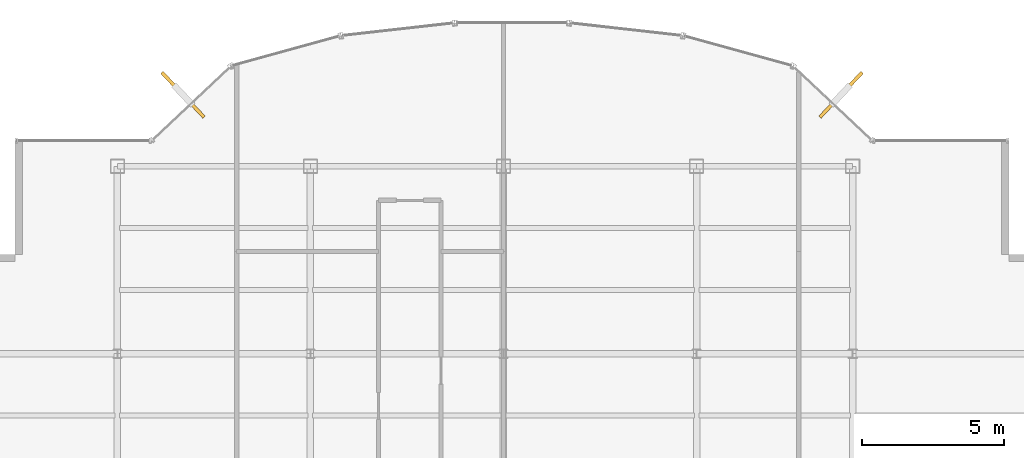
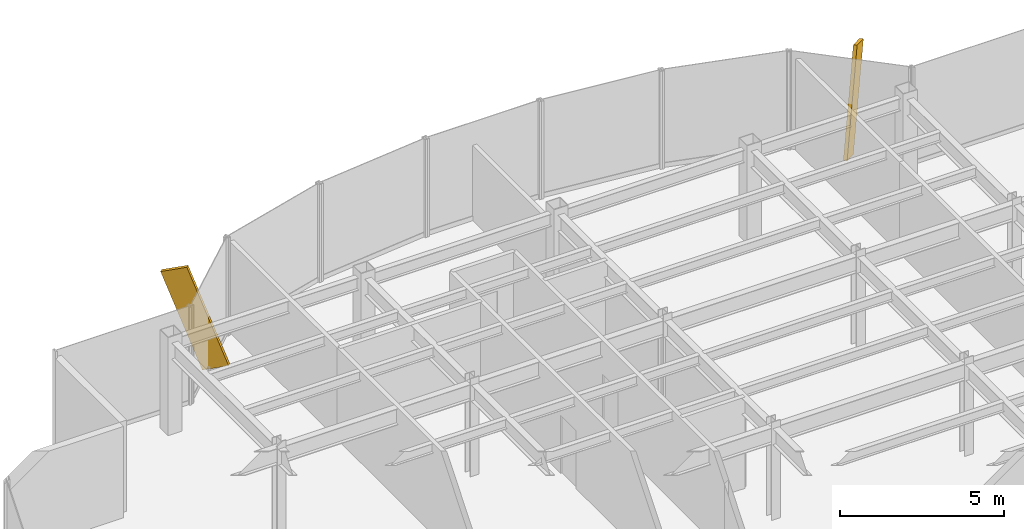
# One storey, part 21 of 22: 2 shading devices.
"""IFC4 building model written with IfcOpenShell, lengths in metres."""

from ifc_helpers import new_model, si_unit, derived_unit, direction, frame, origin, origin_2d, place, context, subcontext, project, spatial, rectangle, extrude, source, transform, mapped, material, type_object, element, save


model = new_model("IFC4")

# Units and contexts
model_context = context("Model", 3, precision=1e-05, world=origin(), true_north=direction((0.0, 1.0)))
body_context = subcontext(model_context, "Body", "Model", "MODEL_VIEW")
ifc_project = project(units=[si_unit("LENGTHUNIT", "METRE"), si_unit("AREAUNIT", "SQUARE_METRE"), si_unit("VOLUMEUNIT", "CUBIC_METRE"), si_unit("PLANEANGLEUNIT", "RADIAN"), si_unit("MASSUNIT", "GRAM", prefix="KILO"), derived_unit("THERMALTRANSMITTANCEUNIT", [(si_unit("POWERUNIT", "WATT"), 1), (si_unit("LENGTHUNIT", "METRE"), -2), (si_unit("THERMODYNAMICTEMPERATUREUNIT", "KELVIN"), -1)])], contexts=[model_context])

# Site, building, storey
site_placement = place(None, origin())
site = spatial("IfcSite", under=ifc_project, at=site_placement, CompositionType="ELEMENT")
building_placement = place(site_placement, origin())
building = spatial("IfcBuilding", under=site, at=building_placement, Name="Skarnbrae Concourse Arena and Tower", CompositionType="ELEMENT")
storey_placement = place(building_placement, frame((0.0, 0.0, 206.85009765625)))
storey = spatial("IfcBuildingStorey", under=building, at=storey_placement, Name="L53", CompositionType="ELEMENT", Elevation=206.85009765625)

# Shading devices
ifc_material = material(Name="Bronze anodised aluminium 6063-T6", Category="aluminium")
shading_device_type = type_object("IfcShadingDeviceType", Name="SHD-BRONZE-FIN-900", PredefinedType="USERDEFINED", material=ifc_material)
shared_shape = source(origin(), body_context, "Body", "SweptSolid", [
    extrude(rectangle(XDim=0.1201171875, YDim=0.89990234375, at=origin_2d()), origin(), (0.0, 0.0, 1.0), 3.64990234375),
])
for number, where, z_axis, x_axis, name in (
    (1, (32.63720703125, 36.435302734375, 0.125244140625), (0.249654525872, 0.265205022033, 0.931310320999), (0.728131751529, -0.685437198009, 0.0), "L53 Outward-leaning bronze shading fin 08"),
    (2, (10.36279296875, 36.435302734375, 0.125244140625), (-0.249654525872, 0.265205022033, 0.931310320999), (0.728131751529, 0.685437198009, 0.0), "L53 Outward-leaning bronze shading fin 14"),
):
    element("IfcShadingDevice", number, at=place(storey_placement, frame(where, z_axis=z_axis, x_axis=x_axis)), inside=storey, type_object=shading_device_type, Name=name, ObjectType="FIN", PredefinedType="USERDEFINED", context=body_context, shape_type="MappedRepresentation", body=[
        mapped(shared_shape, transform((0.0, 0.0, 0.0))),
    ])

save(model, "model.ifc")
